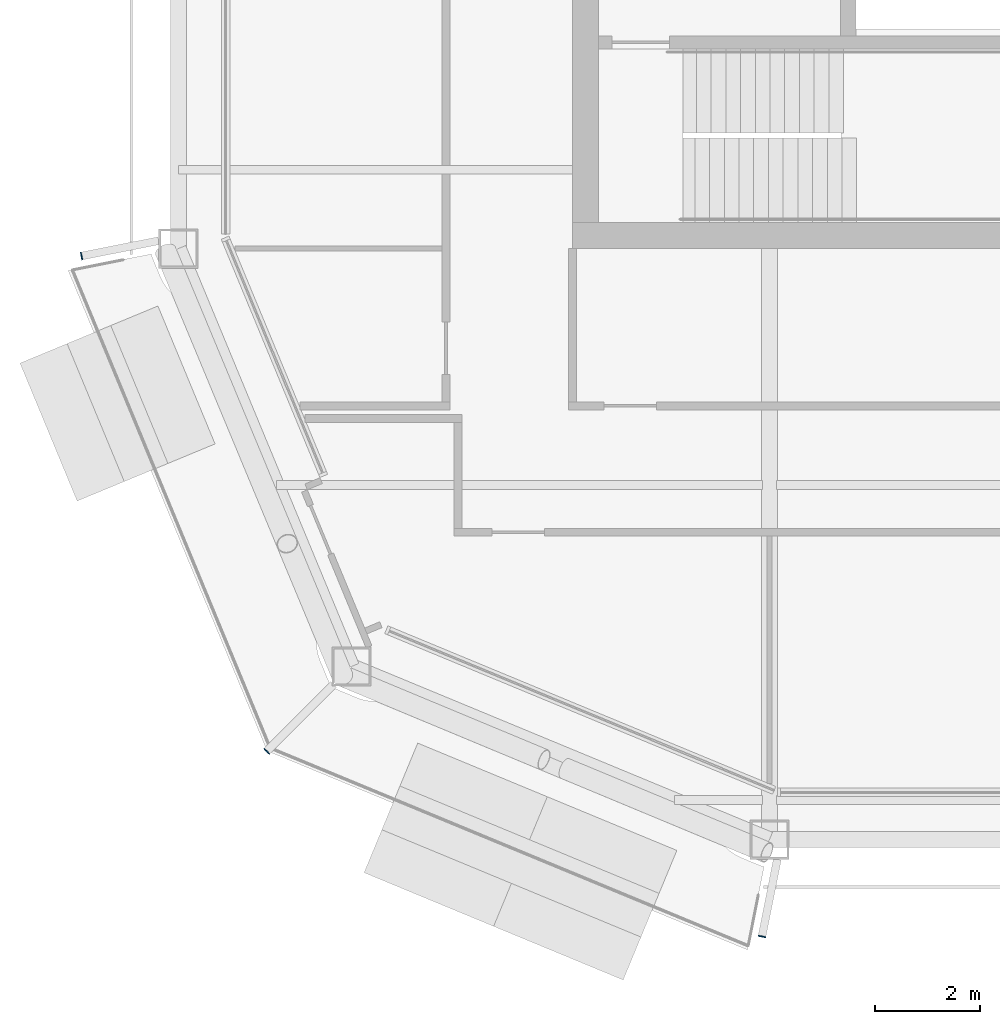
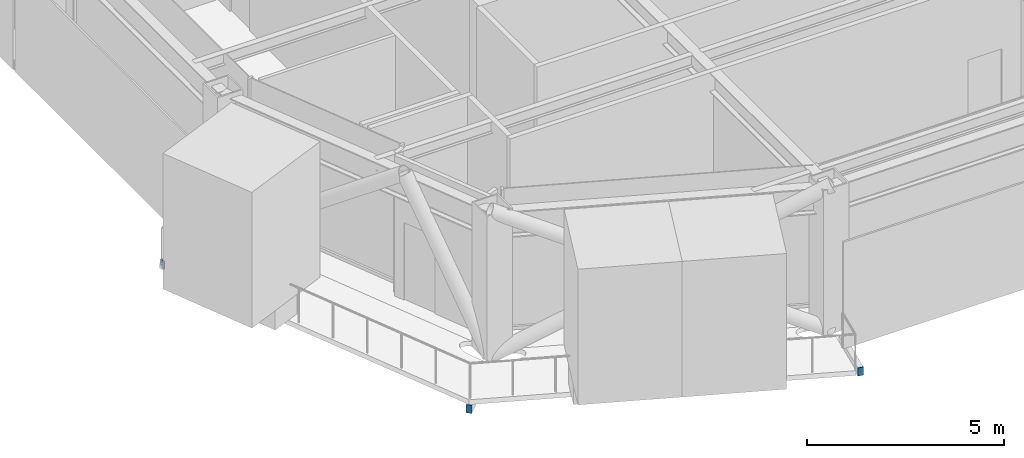
# One storey, part 14 of 20: 3 discrete accessories.
"""IFC4 building model written with IfcOpenShell, lengths in metres."""

from ifc_helpers import new_model, si_unit, direction, frame, origin, origin_2d, place, context, subcontext, project, spatial, rectangle, extrude, material, layer, layer_set, type_object, element, save


model = new_model("IFC4")

# Units and contexts
model_context = context("Model", 3, precision=1e-05, world=origin(), true_north=direction((0.0, 1.0)))
body_context = subcontext(model_context, "Body", "Model", "MODEL_VIEW")
ifc_project = project(units=[si_unit("LENGTHUNIT", "METRE"), si_unit("AREAUNIT", "SQUARE_METRE"), si_unit("VOLUMEUNIT", "CUBIC_METRE"), si_unit("PLANEANGLEUNIT", "RADIAN"), si_unit("MASSUNIT", "GRAM", prefix="KILO")], contexts=[model_context])

# Site, building, storey
site_placement = place(None, origin())
site = spatial("IfcSite", under=ifc_project, at=site_placement, CompositionType="ELEMENT")
building_placement = place(site_placement, origin())
building = spatial("IfcBuilding", under=site, at=building_placement, Name="Siwar Civic Tower", CompositionType="ELEMENT")
storey_placement = place(building_placement, frame((0.0, 0.0, 316.699951171875)))
storey = spatial("IfcBuildingStorey", under=building, at=storey_placement, Name="L68", CompositionType="ELEMENT", Elevation=316.699951171875)

# Discrete accessories
ifc_material = material(Name="Steel S355", Category="steel")
ifc_layer = layer(ifc_material, 0.02001953125)
ifc_layer_set = layer_set([ifc_layer], Name="Steel S355")
discrete_accessory_type = type_object("IfcDiscreteAccessoryType", Name="STR-END-CAP", PredefinedType="USERDEFINED", material=ifc_layer_set)
for number, where, z_axis, x_axis, name in (
    (1, (-26.5947265625, -13.642578125, -0.39990234375), (0.0, 0.0, 1.0), (-0.980785280373, -0.19509032217, 0.0), "End cap plate Balcony cantilever beam SW 1"),
    (2, (-23.0693359375, -23.0693359375, -0.39990234375), (0.0, 0.0, 1.0), (-0.707106781187, -0.707106781187, 0.0), "End cap plate Balcony cantilever beam SW 2"),
    (3, (-13.642578125, -26.5947265625, -0.39990234375), (0.0, 0.0, 1.0), (-0.19509032217, -0.980785280373, 0.0), "End cap plate Balcony cantilever beam SW 3"),
):
    element("IfcDiscreteAccessory", number, at=place(storey_placement, frame(where, z_axis=z_axis, x_axis=x_axis)), inside=storey, type_object=discrete_accessory_type, Name=name, ObjectType="END CAP PLATE", PredefinedType="USERDEFINED", context=body_context, shape_type="SweptSolid", body=[
        extrude(rectangle(XDim=0.02001953125, YDim=0.14990234375, at=origin_2d()), origin(), (0.0, 0.0, 1.0), 0.25),
    ])

save(model, "model.ifc")
